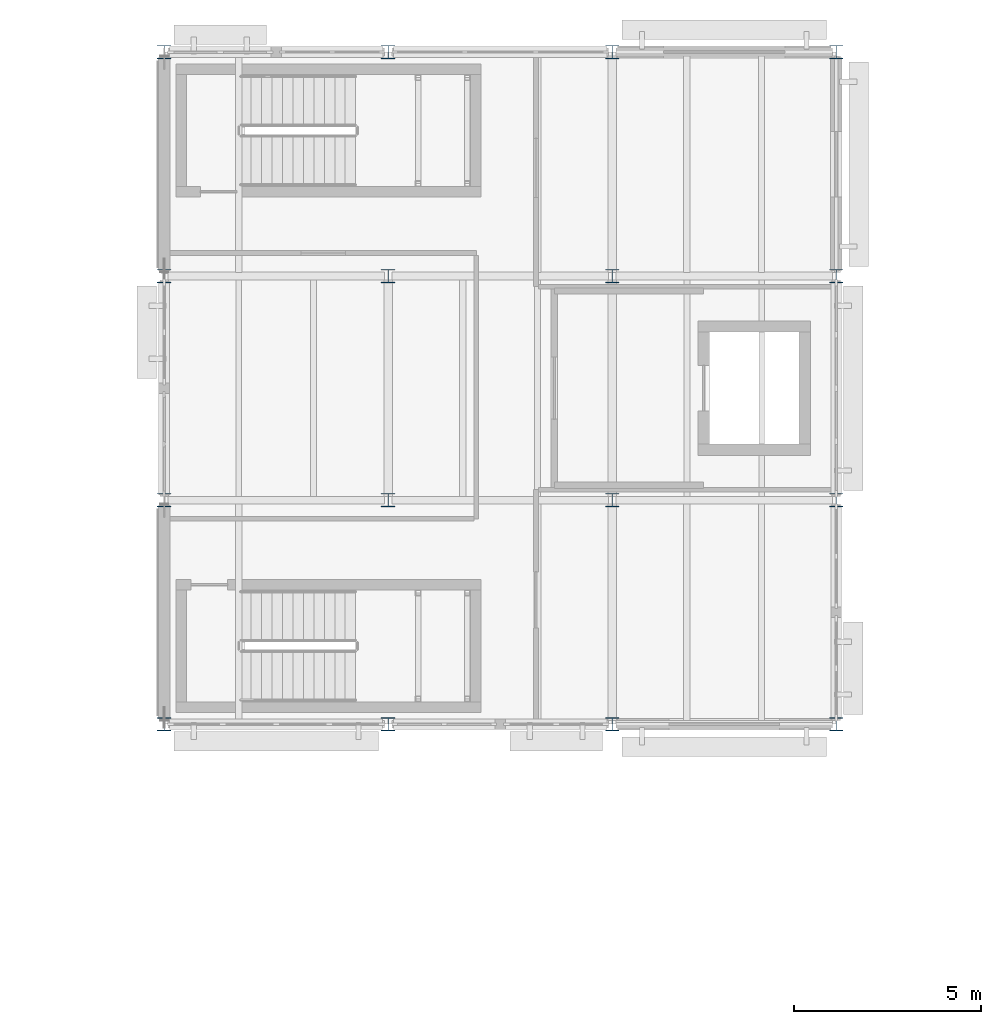
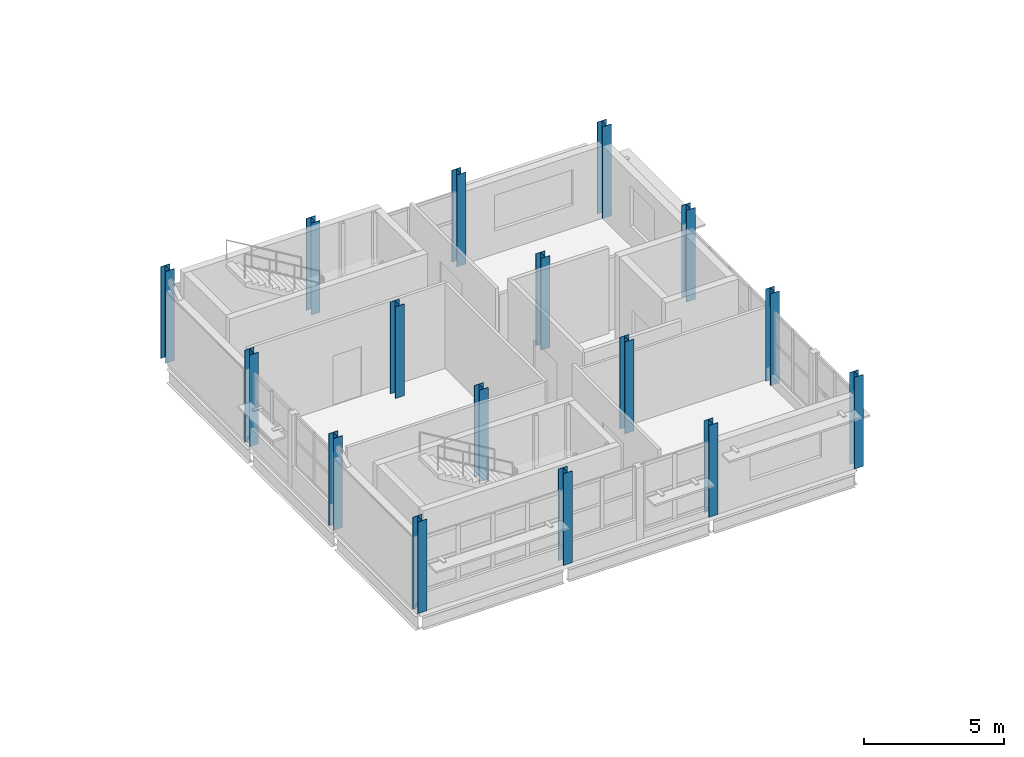
# One storey, part 10 of 92: 16 columns.
"""IFC4 building model written with IfcOpenShell, lengths in metres."""

from ifc_helpers import new_model, si_unit, direction, frame, origin, origin_2d, place, context, subcontext, project, spatial, i_section, extrude, material, material_profile, profile_set, type_object, element, save


model = new_model("IFC4")

# Units and contexts
model_context = context("Model", 3, precision=1e-05, world=origin(), true_north=direction((0.0, 1.0)))
body_context = subcontext(model_context, "Body", "Model", "MODEL_VIEW")
ifc_project = project(units=[si_unit("LENGTHUNIT", "METRE"), si_unit("AREAUNIT", "SQUARE_METRE"), si_unit("VOLUMEUNIT", "CUBIC_METRE"), si_unit("PLANEANGLEUNIT", "RADIAN"), si_unit("MASSUNIT", "GRAM", prefix="KILO")], contexts=[model_context])

# Site, building, storey
site_placement = place(None, origin())
site = spatial("IfcSite", under=ifc_project, at=site_placement, CompositionType="ELEMENT")
building_placement = place(site_placement, origin())
building = spatial("IfcBuilding", under=site, at=building_placement, Name="Siltcreek Boulevard Central Fire Station", CompositionType="ELEMENT")
storey_placement = place(building_placement, frame((0.0, 0.0, 6.0)))
storey = spatial("IfcBuildingStorey", under=building, at=storey_placement, Name="L02", CompositionType="ELEMENT", Elevation=6.0)

# Columns
ifc_material = material(Name="Structural steel ASTM A992 Gr50", Category="steel")
ifc_material_profile = material_profile(ifc_material, i_section(OverallWidth=0.37109375, OverallDepth=0.364013671875, WebThickness=0.01318359375, FlangeThickness=0.021728515625, at=origin_2d()), Name="W360X162")
ifc_profile_set = profile_set([ifc_material_profile], Name="Structural steel ASTM A992 Gr50")
column_type = type_object("IfcColumnType", Name="COL_W360X162", PredefinedType="COLUMN", material=ifc_profile_set)
for number, where, z_axis, x_axis, name in (
    (1, (42.0, 94.199951171875, 0.0), (0.0, 0.0, 1.0), (1.0, 0.0, 0.0), "L02 structural column COLG-L02-420-942"),
    (2, (42.0, 100.199951171875, 0.0), (0.0, 0.0, 1.0), (1.0, 0.0, 0.0), "L02 structural column COLG-L02-420-1002"),
    (3, (42.0, 106.199951171875, 0.0), (0.0, 0.0, 1.0), (1.0, 0.0, 0.0), "L02 structural column COLG-L02-420-1062"),
    (4, (42.0, 112.199951171875, 0.0), (0.0, 0.0, 1.0), (1.0, 0.0, 0.0), "L02 structural column COLG-L02-420-1122"),
    (5, (48.0, 94.199951171875, 0.0), (0.0, 0.0, 1.0), (1.0, 0.0, 0.0), "L02 structural column COLG-L02-480-942"),
    (6, (48.0, 100.199951171875, 0.0), (0.0, 0.0, 1.0), (1.0, 0.0, 0.0), "L02 structural column COLG-L02-480-1002"),
    (7, (48.0, 106.199951171875, 0.0), (0.0, 0.0, 1.0), (1.0, 0.0, 0.0), "L02 structural column COLG-L02-480-1062"),
    (8, (48.0, 112.199951171875, 0.0), (0.0, 0.0, 1.0), (1.0, 0.0, 0.0), "L02 structural column COLG-L02-480-1122"),
    (9, (54.0, 94.199951171875, 0.0), (0.0, 0.0, 1.0), (1.0, 0.0, 0.0), "L02 structural column COLG-L02-540-942"),
    (10, (54.0, 100.199951171875, 0.0), (0.0, 0.0, 1.0), (1.0, 0.0, 0.0), "L02 structural column COLG-L02-540-1002"),
    (11, (54.0, 106.199951171875, 0.0), (0.0, 0.0, 1.0), (1.0, 0.0, 0.0), "L02 structural column COLG-L02-540-1062"),
    (12, (54.0, 112.199951171875, 0.0), (0.0, 0.0, 1.0), (1.0, 0.0, 0.0), "L02 structural column COLG-L02-540-1122"),
    (13, (60.0, 94.199951171875, 0.0), (0.0, 0.0, 1.0), (1.0, 0.0, 0.0), "L02 structural column COLG-L02-600-942"),
    (14, (60.0, 100.199951171875, 0.0), (0.0, 0.0, 1.0), (1.0, 0.0, 0.0), "L02 structural column COLG-L02-600-1002"),
    (15, (60.0, 106.199951171875, 0.0), (0.0, 0.0, 1.0), (1.0, 0.0, 0.0), "L02 structural column COLG-L02-600-1062"),
    (16, (60.0, 112.199951171875, 0.0), (0.0, 0.0, 1.0), (1.0, 0.0, 0.0), "L02 structural column COLG-L02-600-1122"),
):
    element("IfcColumn", number, at=place(storey_placement, frame(where, z_axis=z_axis, x_axis=x_axis)), inside=storey, type_object=column_type, Name=name, PredefinedType="COLUMN", context=body_context, shape_type="SweptSolid", body=[
        extrude(i_section(OverallWidth=0.37109375, OverallDepth=0.364013671875, WebThickness=0.01318359375, FlangeThickness=0.021728515625, at=origin_2d()), origin(), (0.0, 0.0, 1.0), 4.0),
    ])

save(model, "model.ifc")
